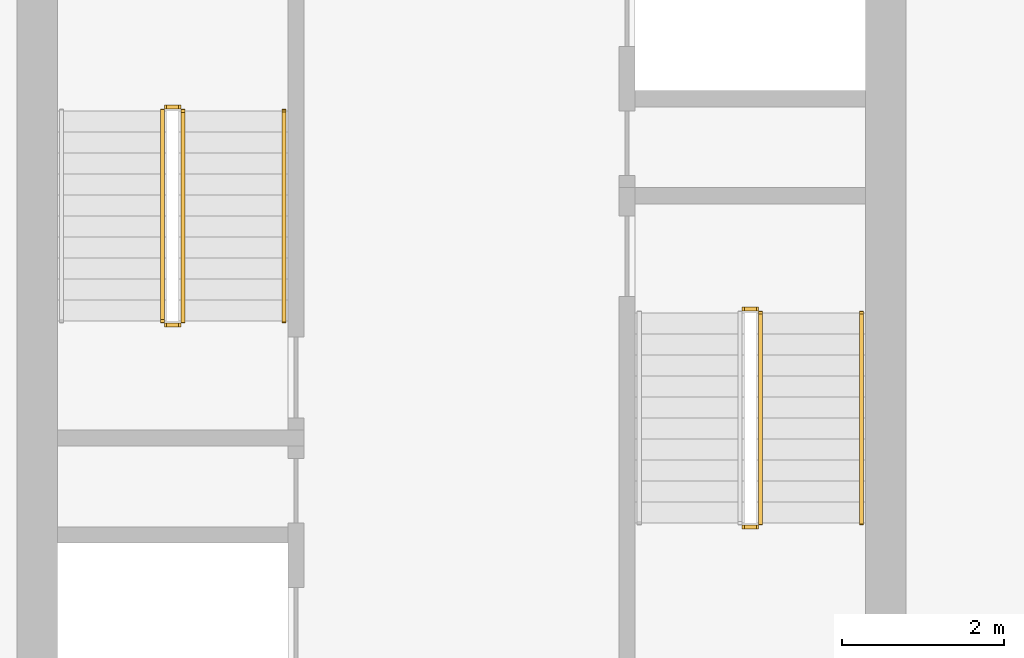
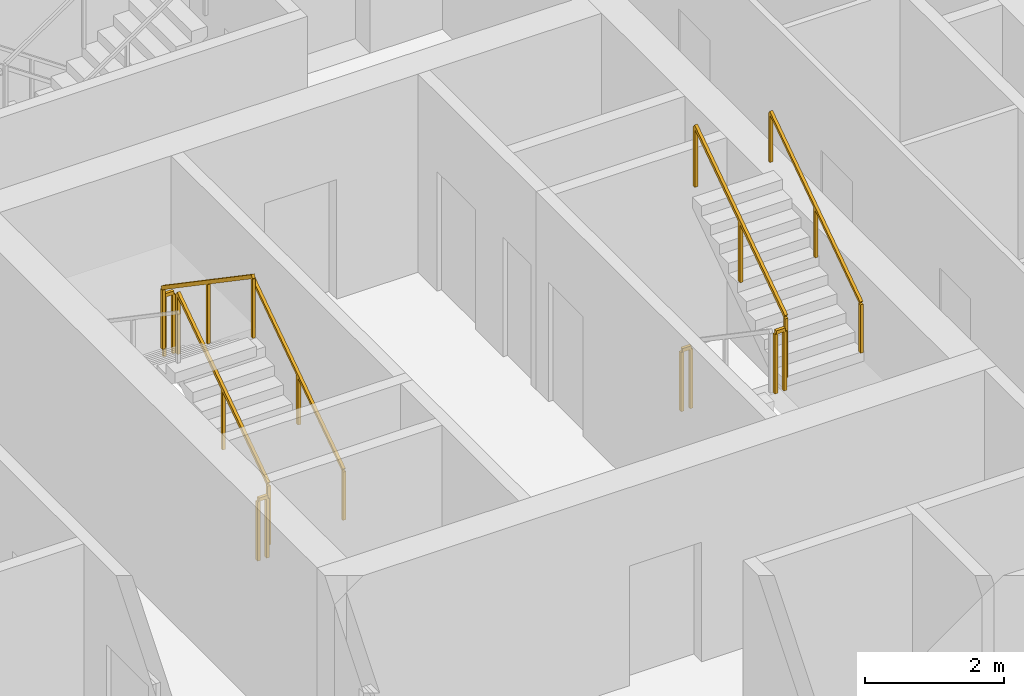
# One storey, part 11 of 14: 9 railings.
"""IFC4 building model written with IfcOpenShell, lengths in metres."""

from ifc_helpers import new_model, si_unit, direction, frame, origin, origin_2d, place, context, subcontext, project, spatial, rectangle, extrude, material, type_object, element, save


model = new_model("IFC4")

# Units and contexts
model_context = context("Model", 3, precision=1e-05, world=origin(), true_north=direction((0.0, 1.0)))
body_context = subcontext(model_context, "Body", "Model", "MODEL_VIEW")
ifc_project = project(units=[si_unit("LENGTHUNIT", "METRE"), si_unit("AREAUNIT", "SQUARE_METRE"), si_unit("VOLUMEUNIT", "CUBIC_METRE"), si_unit("PLANEANGLEUNIT", "RADIAN"), si_unit("MASSUNIT", "GRAM", prefix="KILO")], contexts=[model_context])

# Site, building, storey
site_placement = place(None, origin())
site = spatial("IfcSite", under=ifc_project, at=site_placement, CompositionType="ELEMENT")
building_placement = place(site_placement, origin())
building = spatial("IfcBuilding", under=site, at=building_placement, Name="Khepri Terraces", CompositionType="ELEMENT")
storey_placement = place(building_placement, frame((0.0, 0.0, 90.89990234375)))
storey = spatial("IfcBuildingStorey", under=building, at=storey_placement, Name="L21", CompositionType="ELEMENT", Elevation=90.89990234375)

# Railings
ifc_material = material(Name="Stainless steel 316", Category="steel")
railing_type_1 = type_object("IfcRailingType", Name="RL-CORE-GUARD", PredefinedType="GUARDRAIL", material=ifc_material)
railing_1_placement = place(storey_placement, frame((-3.449951171875, -0.050048828125, 0.177490234375)))
element("IfcRailing", 1, at=railing_1_placement, inside=storey, type_object=railing_type_1, Name="L21 ST-1 stair guard 1", PredefinedType="GUARDRAIL", context=body_context, shape_type="SweptSolid", body=[
    extrude(rectangle(XDim=0.050048828125, YDim=0.06005859375, at=origin_2d()), frame((0.0, 0.0, 1.070068359375), z_axis=(0.0, 0.826240473404, 0.563317565952), x_axis=(-1.0, 0.0, 0.0)), (0.0, 0.0, 1.0), 3.14697265625),
    extrude(rectangle(XDim=0.050048828125, YDim=0.050048828125, at=origin_2d()), origin(), (0.0, 0.0, 1.0), 1.0400390625),
    extrude(rectangle(XDim=0.050048828125, YDim=0.050048828125, at=origin_2d()), frame((0.0, 1.300048828125, 0.88623046875)), (0.0, 0.0, 1.0), 1.0400390625),
    extrude(rectangle(XDim=0.050048828125, YDim=0.050048828125, at=origin_2d()), frame((0.0, 2.60009765625, 1.772705078125)), (0.0, 0.0, 1.0), 1.0400390625),
])
railing_2_placement = place(storey_placement, frame((-3.5, 2.60009765625, 1.9501953125)))
element("IfcRailing", 2, at=railing_2_placement, inside=storey, type_object=railing_type_1, Name="L21 ST-1 stair guard 2", PredefinedType="GUARDRAIL", context=body_context, shape_type="SweptSolid", body=[
    extrude(rectangle(XDim=0.050048828125, YDim=0.06005859375, at=origin_2d()), frame((0.0, 0.0, 1.070068359375), z_axis=(-1.0, 0.0, 0.0), x_axis=(0.0, -1.0, 0.0)), (0.0, 0.0, 1.0), 0.14990234375),
    extrude(rectangle(XDim=0.050048828125, YDim=0.050048828125, at=origin_2d()), origin(), (0.0, 0.0, 1.0), 1.0400390625),
    extrude(rectangle(XDim=0.050048828125, YDim=0.050048828125, at=origin_2d()), frame((-0.14990234375, 0.0, 0.0)), (0.0, 0.0, 1.0), 1.0400390625),
])
railing_3_placement = place(storey_placement, frame((-3.699951171875, 2.550048828125, 2.12744140625)))
element("IfcRailing", 3, at=railing_3_placement, inside=storey, type_object=railing_type_1, Name="L21 ST-1 stair guard 3", PredefinedType="GUARDRAIL", context=body_context, shape_type="SweptSolid", body=[
    extrude(rectangle(XDim=0.050048828125, YDim=0.06005859375, at=origin_2d()), frame((0.0, 0.0, 1.070068359375), z_axis=(0.0, -0.826240473404, 0.563317565952), x_axis=(1.0, 0.0, 0.0)), (0.0, 0.0, 1.0), 3.14697265625),
    extrude(rectangle(XDim=0.050048828125, YDim=0.050048828125, at=origin_2d()), origin(), (0.0, 0.0, 1.0), 1.0400390625),
    extrude(rectangle(XDim=0.050048828125, YDim=0.050048828125, at=origin_2d()), frame((0.0, -1.300048828125, 0.88623046875)), (0.0, 0.0, 1.0), 1.0400390625),
    extrude(rectangle(XDim=0.050048828125, YDim=0.050048828125, at=origin_2d()), frame((0.0, -2.60009765625, 1.772705078125)), (0.0, 0.0, 1.0), 1.0400390625),
])
railing_4_placement = place(storey_placement, frame((-3.5, -0.10009765625, 0.0)))
element("IfcRailing", 4, at=railing_4_placement, inside=storey, type_object=railing_type_1, Name="L21 ST-1 stair guard 4", PredefinedType="GUARDRAIL", context=body_context, shape_type="SweptSolid", body=[
    extrude(rectangle(XDim=0.050048828125, YDim=0.06005859375, at=origin_2d()), frame((0.0, 0.0, 1.070068359375), z_axis=(-1.0, 0.0, 0.0), x_axis=(0.0, -1.0, 0.0)), (0.0, 0.0, 1.0), 0.14990234375),
    extrude(rectangle(XDim=0.050048828125, YDim=0.050048828125, at=origin_2d()), origin(), (0.0, 0.0, 1.0), 1.0400390625),
    extrude(rectangle(XDim=0.050048828125, YDim=0.050048828125, at=origin_2d()), frame((-0.14990234375, 0.0, 0.0)), (0.0, 0.0, 1.0), 1.0400390625),
])
railing_5_placement = place(storey_placement, frame((3.5, -2.60009765625, 1.9501953125)))
element("IfcRailing", 5, at=railing_5_placement, inside=storey, type_object=railing_type_1, Name="L21 ST-2 stair guard 2", PredefinedType="GUARDRAIL", context=body_context, shape_type="SweptSolid", body=[
    extrude(rectangle(XDim=0.050048828125, YDim=0.06005859375, at=origin_2d()), frame((0.0, 0.0, 1.070068359375), z_axis=(1.0, 0.0, 0.0), x_axis=(0.0, 1.0, 0.0)), (0.0, 0.0, 1.0), 0.14990234375),
    extrude(rectangle(XDim=0.050048828125, YDim=0.050048828125, at=origin_2d()), origin(), (0.0, 0.0, 1.0), 1.0400390625),
    extrude(rectangle(XDim=0.050048828125, YDim=0.050048828125, at=origin_2d()), frame((0.14990234375, 0.0, 0.0)), (0.0, 0.0, 1.0), 1.0400390625),
])
railing_6_placement = place(storey_placement, frame((3.699951171875, -2.550048828125, 2.12744140625)))
element("IfcRailing", 6, at=railing_6_placement, inside=storey, type_object=railing_type_1, Name="L21 ST-2 stair guard 3", PredefinedType="GUARDRAIL", context=body_context, shape_type="SweptSolid", body=[
    extrude(rectangle(XDim=0.050048828125, YDim=0.06005859375, at=origin_2d()), frame((0.0, 0.0, 1.070068359375), z_axis=(0.0, 0.826240473404, 0.563317565952), x_axis=(-1.0, 0.0, 0.0)), (0.0, 0.0, 1.0), 3.14697265625),
    extrude(rectangle(XDim=0.050048828125, YDim=0.050048828125, at=origin_2d()), origin(), (0.0, 0.0, 1.0), 1.0400390625),
    extrude(rectangle(XDim=0.050048828125, YDim=0.050048828125, at=origin_2d()), frame((0.0, 1.300048828125, 0.88623046875)), (0.0, 0.0, 1.0), 1.0400390625),
    extrude(rectangle(XDim=0.050048828125, YDim=0.050048828125, at=origin_2d()), frame((0.0, 2.60009765625, 1.772705078125)), (0.0, 0.0, 1.0), 1.0400390625),
])
railing_7_placement = place(storey_placement, frame((3.5, 0.10009765625, 0.0)))
element("IfcRailing", 7, at=railing_7_placement, inside=storey, type_object=railing_type_1, Name="L21 ST-2 stair guard 4", PredefinedType="GUARDRAIL", context=body_context, shape_type="SweptSolid", body=[
    extrude(rectangle(XDim=0.050048828125, YDim=0.06005859375, at=origin_2d()), frame((0.0, 0.0, 1.070068359375), z_axis=(1.0, 0.0, 0.0), x_axis=(0.0, 1.0, 0.0)), (0.0, 0.0, 1.0), 0.14990234375),
    extrude(rectangle(XDim=0.050048828125, YDim=0.050048828125, at=origin_2d()), origin(), (0.0, 0.0, 1.0), 1.0400390625),
    extrude(rectangle(XDim=0.050048828125, YDim=0.050048828125, at=origin_2d()), frame((0.14990234375, 0.0, 0.0)), (0.0, 0.0, 1.0), 1.0400390625),
])
railing_type_2 = type_object("IfcRailingType", Name="RL-CORE-HANDRAIL", PredefinedType="HANDRAIL", material=ifc_material)
for number, where, name in (
    (8, (-2.199951171875, -0.050048828125, 0.177490234375), "L21 ST-1 stair handrail 1"),
    (9, (4.949951171875, -2.550048828125, 2.12744140625), "L21 ST-2 stair handrail 2"),
):
    element("IfcRailing", number, at=place(storey_placement, frame(where)), inside=storey, type_object=railing_type_2, Name=name, PredefinedType="HANDRAIL", context=body_context, shape_type="SweptSolid", body=[
        extrude(rectangle(XDim=0.050048828125, YDim=0.050048828125, at=origin_2d()), frame((0.0, 0.0, 0.875), z_axis=(0.0, 0.826240473404, 0.563317565952), x_axis=(-1.0, 0.0, 0.0)), (0.0, 0.0, 1.0), 3.14697265625),
        extrude(rectangle(XDim=0.050048828125, YDim=0.050048828125, at=origin_2d()), origin(), (0.0, 0.0, 1.0), 0.849853515625),
        extrude(rectangle(XDim=0.050048828125, YDim=0.050048828125, at=origin_2d()), frame((0.0, 1.300048828125, 0.88623046875)), (0.0, 0.0, 1.0), 0.849853515625),
        extrude(rectangle(XDim=0.050048828125, YDim=0.050048828125, at=origin_2d()), frame((0.0, 2.60009765625, 1.772705078125)), (0.0, 0.0, 1.0), 0.849853515625),
    ])

save(model, "model.ifc")
